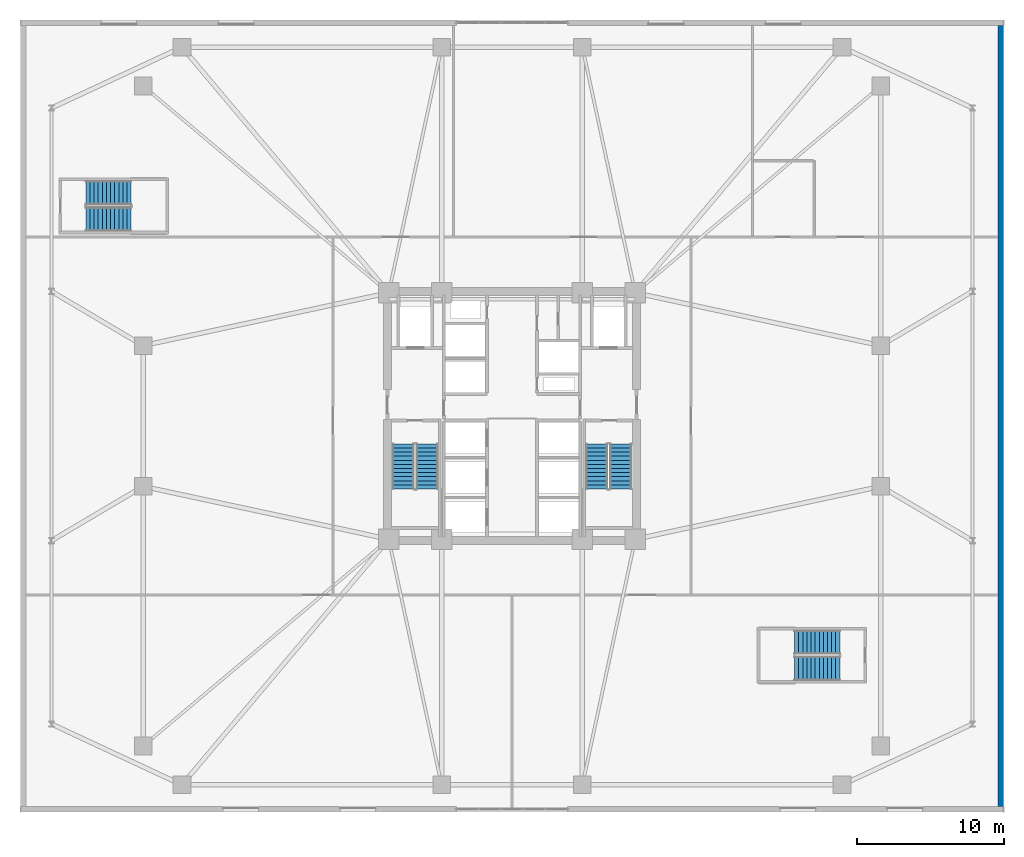
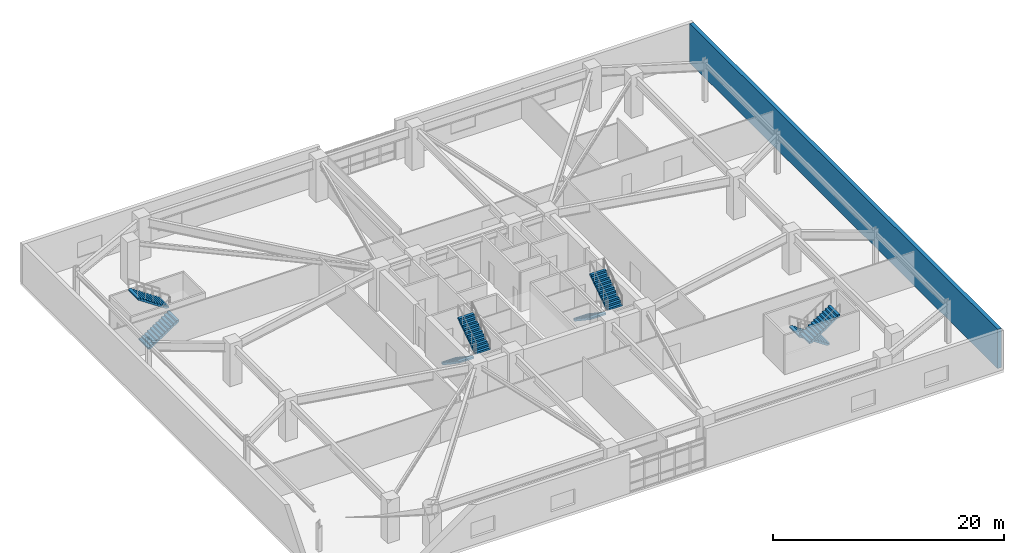
# One storey, part 15 of 21: 8 stair flights, 1 wall, 4 elements without a shape of their own.
"""IFC4 building model written with IfcOpenShell, lengths in metres."""

from ifc_helpers import new_model, si_unit, direction, frame, frame_2d, origin, place, context, subcontext, project, spatial, polyline, rectangle, outline, extrude, material, layer, layer_set, type_object, element, aggregate, save


model = new_model("IFC4")

# Units and contexts
model_context = context("Model", 3, precision=1e-05, world=origin(), true_north=direction((0.0, 1.0)))
body_context = subcontext(model_context, "Body", "Model", "MODEL_VIEW")
ifc_project = project(units=[si_unit("LENGTHUNIT", "METRE"), si_unit("AREAUNIT", "SQUARE_METRE"), si_unit("VOLUMEUNIT", "CUBIC_METRE"), si_unit("PLANEANGLEUNIT", "RADIAN"), si_unit("MASSUNIT", "GRAM", prefix="KILO")], contexts=[model_context])

# Site, building, storey
site_placement = place(None, origin())
site = spatial("IfcSite", under=ifc_project, at=site_placement, CompositionType="ELEMENT")
building_placement = place(site_placement, origin())
building = spatial("IfcBuilding", under=site, at=building_placement, Name="Cairnveth Concourse Tower", CompositionType="ELEMENT")
storey_placement = place(building_placement, frame((0.0, 0.0, 14.5)))
storey = spatial("IfcBuildingStorey", under=building, at=storey_placement, Name="L03", CompositionType="ELEMENT", Elevation=14.5)

# Wall
ifc_material_1 = material(Name="Hawthorn Red-Ochre Fired Clay Brick Masonry", Category="masonry")
ifc_layer = layer(ifc_material_1, 0.3798828125)
ifc_layer_set = layer_set([ifc_layer], Name="Hawthorn Red-Ochre Fired Clay Brick Masonry")
wall_type = type_object("IfcWallType", Name="UPPER PODIUM BRICK WALL 380", PredefinedType="SOLIDWALL", material=ifc_layer_set)
wall_placement = place(storey_placement, frame((85.31005859375, 65.635009765625, 0.0), z_axis=(0.0, 0.0, 1.0), x_axis=(0.0, -1.0, 0.0)))
element("IfcWall", 1, at=wall_placement, inside=storey, type_object=wall_type, Name="Exterior Wall EW-L03-E", PredefinedType="SOLIDWALL", context=body_context, shape_type="SweptSolid", body=[
    extrude(rectangle(XDim=53.27001953125, YDim=0.3798828125, at=frame_2d((26.635009765625, 0.0))), origin(), (0.0, 0.0, 1.0), 4.14990234375),
])

# Stair, stair flights
ifc_material_2 = material(Name="Precast concrete N50 (50 MPa)", Category="concrete")
stair_type_1 = type_object("IfcStairType", Name="CORE DOG-LEG FIRE STAIR 1500", PredefinedType="HALF_TURN_STAIR", material=ifc_material_2)
stair_1_placement = place(storey_placement, origin())
stair_1 = element("IfcStair", 2, at=stair_1_placement, inside=storey, type_object=stair_type_1, Name="L03 Fire-Isolated Stair ST-1", PredefinedType="HALF_TURN_STAIR")
stair_flight_type_1 = type_object("IfcStairFlightType", Name="PRECAST CONCRETE STAIR FLIGHT 1500", PredefinedType="STRAIGHT", material=ifc_material_2)
stair_flight_1_placement = place(storey_placement, frame((44.590087890625, 37.10009765625, 0.0), z_axis=(0.0, 0.0, 1.0), x_axis=(0.0, -1.0, 0.0)))
stair_flight_1 = element("IfcStairFlight", 3, at=stair_flight_1_placement, type_object=stair_flight_type_1, Name="ST-1 flight 1", NumberOfRisers=12, NumberOfTreads=11, PredefinedType="STRAIGHT", RiserHeight=0.1875, TreadLength=0.28, context=body_context, shape_type="SweptSolid", body=[
    extrude(outline(polyline([(0.0, 0.0), (0.0, 0.1875), (0.280029296875, 0.1875), (0.280029296875, 0.375), (0.56005859375, 0.375), (0.56005859375, 0.5625), (0.840087890625, 0.5625), (0.840087890625, 0.75), (1.1201171875, 0.75), (1.1201171875, 0.9375), (1.39990234375, 0.9375), (1.39990234375, 1.125), (1.679931640625, 1.125), (1.679931640625, 1.3125), (1.9599609375, 1.3125), (1.9599609375, 1.5), (2.239990234375, 1.5), (2.239990234375, 1.6875), (2.52001953125, 1.6875), (2.52001953125, 1.875), (2.800048828125, 1.875), (2.800048828125, 2.0625), (3.080078125, 2.0625), (3.080078125, 2.25), (3.080078125, 1.882080078125), (0.26953125, 0.0), (0.0, 0.0)])), frame((0.0, 0.75, 0.0), z_axis=(0.0, -1.0, 0.0), x_axis=(1.0, 0.0, 0.0)), (0.0, 0.0, 1.0), 1.5),
])
stair_flight_2_placement = place(storey_placement, frame((46.22998046875, 34.02001953125, 2.25), z_axis=(0.0, 0.0, 1.0), x_axis=(0.0, 1.0, 0.0)))
stair_flight_2 = element("IfcStairFlight", 4, at=stair_flight_2_placement, type_object=stair_flight_type_1, Name="ST-1 flight 2", NumberOfRisers=12, NumberOfTreads=11, PredefinedType="STRAIGHT", RiserHeight=0.1875, TreadLength=0.28, context=body_context, shape_type="SweptSolid", body=[
    extrude(outline(polyline([(0.0, 0.0), (0.0, 0.1875), (0.280029296875, 0.1875), (0.280029296875, 0.375), (0.56005859375, 0.375), (0.56005859375, 0.5625), (0.840087890625, 0.5625), (0.840087890625, 0.75), (1.1201171875, 0.75), (1.1201171875, 0.9375), (1.39990234375, 0.9375), (1.39990234375, 1.125), (1.679931640625, 1.125), (1.679931640625, 1.3125), (1.9599609375, 1.3125), (1.9599609375, 1.5), (2.239990234375, 1.5), (2.239990234375, 1.6875), (2.52001953125, 1.6875), (2.52001953125, 1.875), (2.800048828125, 1.875), (2.800048828125, 2.0625), (3.080078125, 2.0625), (3.080078125, 2.25), (3.080078125, 1.882080078125), (0.26953125, 0.0), (0.0, 0.0)])), frame((0.0, 0.75, 0.0), z_axis=(0.0, -1.0, 0.0), x_axis=(1.0, 0.0, 0.0)), (0.0, 0.0, 1.0), 1.5),
])
aggregate(stair_1, [stair_flight_1, stair_flight_2])

stair_2_placement = place(storey_placement, origin())
stair_2 = element("IfcStair", 5, at=stair_2_placement, inside=storey, type_object=stair_type_1, Name="L03 Fire-Isolated Stair ST-2", PredefinedType="HALF_TURN_STAIR")
stair_flight_3_placement = place(storey_placement, frame((57.77001953125, 37.10009765625, 0.0), z_axis=(0.0, 0.0, 1.0), x_axis=(0.0, -1.0, 0.0)))
stair_flight_3 = element("IfcStairFlight", 6, at=stair_flight_3_placement, type_object=stair_flight_type_1, Name="ST-2 flight 1", NumberOfRisers=12, NumberOfTreads=11, PredefinedType="STRAIGHT", RiserHeight=0.1875, TreadLength=0.28, context=body_context, shape_type="SweptSolid", body=[
    extrude(outline(polyline([(0.0, 0.0), (0.0, 0.1875), (0.280029296875, 0.1875), (0.280029296875, 0.375), (0.56005859375, 0.375), (0.56005859375, 0.5625), (0.840087890625, 0.5625), (0.840087890625, 0.75), (1.1201171875, 0.75), (1.1201171875, 0.9375), (1.39990234375, 0.9375), (1.39990234375, 1.125), (1.679931640625, 1.125), (1.679931640625, 1.3125), (1.9599609375, 1.3125), (1.9599609375, 1.5), (2.239990234375, 1.5), (2.239990234375, 1.6875), (2.52001953125, 1.6875), (2.52001953125, 1.875), (2.800048828125, 1.875), (2.800048828125, 2.0625), (3.080078125, 2.0625), (3.080078125, 2.25), (3.080078125, 1.882080078125), (0.26953125, 0.0), (0.0, 0.0)])), frame((0.0, 0.75, 0.0), z_axis=(0.0, -1.0, 0.0), x_axis=(1.0, 0.0, 0.0)), (0.0, 0.0, 1.0), 1.5),
])
stair_flight_4_placement = place(storey_placement, frame((59.409912109375, 34.02001953125, 2.25), z_axis=(0.0, 0.0, 1.0), x_axis=(0.0, 1.0, 0.0)))
stair_flight_4 = element("IfcStairFlight", 7, at=stair_flight_4_placement, type_object=stair_flight_type_1, Name="ST-2 flight 2", NumberOfRisers=12, NumberOfTreads=11, PredefinedType="STRAIGHT", RiserHeight=0.1875, TreadLength=0.28, context=body_context, shape_type="SweptSolid", body=[
    extrude(outline(polyline([(0.0, 0.0), (0.0, 0.1875), (0.280029296875, 0.1875), (0.280029296875, 0.375), (0.56005859375, 0.375), (0.56005859375, 0.5625), (0.840087890625, 0.5625), (0.840087890625, 0.75), (1.1201171875, 0.75), (1.1201171875, 0.9375), (1.39990234375, 0.9375), (1.39990234375, 1.125), (1.679931640625, 1.125), (1.679931640625, 1.3125), (1.9599609375, 1.3125), (1.9599609375, 1.5), (2.239990234375, 1.5), (2.239990234375, 1.6875), (2.52001953125, 1.6875), (2.52001953125, 1.875), (2.800048828125, 1.875), (2.800048828125, 2.0625), (3.080078125, 2.0625), (3.080078125, 2.25), (3.080078125, 1.882080078125), (0.26953125, 0.0), (0.0, 0.0)])), frame((0.0, 0.75, 0.0), z_axis=(0.0, -1.0, 0.0), x_axis=(1.0, 0.0, 0.0)), (0.0, 0.0, 1.0), 1.5),
])
aggregate(stair_2, [stair_flight_3, stair_flight_4])

stair_type_2 = type_object("IfcStairType", Name="PODIUM ESCAPE DOG-LEG STAIR 1650", PredefinedType="HALF_TURN_STAIR", material=ifc_material_2)
stair_3_placement = place(storey_placement, origin())
stair_3 = element("IfcStair", 8, at=stair_3_placement, inside=storey, type_object=stair_type_2, Name="L03 Fire-Isolated Stair ST-P1", PredefinedType="HALF_TURN_STAIR")
stair_flight_type_2 = type_object("IfcStairFlightType", Name="PRECAST CONCRETE STAIR FLIGHT 1650", PredefinedType="STRAIGHT", material=ifc_material_2)
stair_flight_5_placement = place(storey_placement, frame((22.949951171875, 52.425048828125, 0.0), z_axis=(0.0, 0.0, 1.0), x_axis=(1.0, 0.0, 0.0)))
stair_flight_5 = element("IfcStairFlight", 9, at=stair_flight_5_placement, type_object=stair_flight_type_2, Name="ST-P1 flight 1", NumberOfRisers=12, NumberOfTreads=11, PredefinedType="STRAIGHT", RiserHeight=0.1875, TreadLength=0.28, context=body_context, shape_type="SweptSolid", body=[
    extrude(outline(polyline([(0.0, 0.0), (0.0, 0.1875), (0.280029296875, 0.1875), (0.280029296875, 0.375), (0.56005859375, 0.375), (0.56005859375, 0.5625), (0.840087890625, 0.5625), (0.840087890625, 0.75), (1.1201171875, 0.75), (1.1201171875, 0.9375), (1.39990234375, 0.9375), (1.39990234375, 1.125), (1.679931640625, 1.125), (1.679931640625, 1.3125), (1.9599609375, 1.3125), (1.9599609375, 1.5), (2.239990234375, 1.5), (2.239990234375, 1.6875), (2.52001953125, 1.6875), (2.52001953125, 1.875), (2.800048828125, 1.875), (2.800048828125, 2.0625), (3.080078125, 2.0625), (3.080078125, 2.25), (3.080078125, 1.882080078125), (0.26953125, 0.0), (0.0, 0.0)])), frame((0.0, 0.824951171875, 0.0), z_axis=(0.0, -1.0, 0.0), x_axis=(1.0, 0.0, 0.0)), (0.0, 0.0, 1.0), 1.64990234375),
])
stair_flight_6_placement = place(storey_placement, frame((26.030029296875, 54.215087890625, 2.25), z_axis=(0.0, 0.0, 1.0), x_axis=(-1.0, 0.0, 0.0)))
stair_flight_6 = element("IfcStairFlight", 10, at=stair_flight_6_placement, type_object=stair_flight_type_2, Name="ST-P1 flight 2", NumberOfRisers=12, NumberOfTreads=11, PredefinedType="STRAIGHT", RiserHeight=0.1875, TreadLength=0.28, context=body_context, shape_type="SweptSolid", body=[
    extrude(outline(polyline([(0.0, 0.0), (0.0, 0.1875), (0.280029296875, 0.1875), (0.280029296875, 0.375), (0.56005859375, 0.375), (0.56005859375, 0.5625), (0.840087890625, 0.5625), (0.840087890625, 0.75), (1.1201171875, 0.75), (1.1201171875, 0.9375), (1.39990234375, 0.9375), (1.39990234375, 1.125), (1.679931640625, 1.125), (1.679931640625, 1.3125), (1.9599609375, 1.3125), (1.9599609375, 1.5), (2.239990234375, 1.5), (2.239990234375, 1.6875), (2.52001953125, 1.6875), (2.52001953125, 1.875), (2.800048828125, 1.875), (2.800048828125, 2.0625), (3.080078125, 2.0625), (3.080078125, 2.25), (3.080078125, 1.882080078125), (0.26953125, 0.0), (0.0, 0.0)])), frame((0.0, 0.824951171875, 0.0), z_axis=(0.0, -1.0, 0.0), x_axis=(1.0, 0.0, 0.0)), (0.0, 0.0, 1.0), 1.64990234375),
])
aggregate(stair_3, [stair_flight_5, stair_flight_6])

stair_4_placement = place(storey_placement, origin())
stair_4 = element("IfcStair", 11, at=stair_4_placement, inside=storey, type_object=stair_type_2, Name="L03 Fire-Isolated Stair ST-P2", PredefinedType="HALF_TURN_STAIR")
stair_flight_7_placement = place(storey_placement, frame((74.35009765625, 23.574951171875, 0.0), z_axis=(0.0, 0.0, 1.0), x_axis=(-1.0, 0.0, 0.0)))
stair_flight_7 = element("IfcStairFlight", 12, at=stair_flight_7_placement, type_object=stair_flight_type_2, Name="ST-P2 flight 1", NumberOfRisers=12, NumberOfTreads=11, PredefinedType="STRAIGHT", RiserHeight=0.1875, TreadLength=0.28, context=body_context, shape_type="SweptSolid", body=[
    extrude(outline(polyline([(0.0, 0.0), (0.0, 0.1875), (0.280029296875, 0.1875), (0.280029296875, 0.375), (0.56005859375, 0.375), (0.56005859375, 0.5625), (0.840087890625, 0.5625), (0.840087890625, 0.75), (1.1201171875, 0.75), (1.1201171875, 0.9375), (1.39990234375, 0.9375), (1.39990234375, 1.125), (1.679931640625, 1.125), (1.679931640625, 1.3125), (1.9599609375, 1.3125), (1.9599609375, 1.5), (2.239990234375, 1.5), (2.239990234375, 1.6875), (2.52001953125, 1.6875), (2.52001953125, 1.875), (2.800048828125, 1.875), (2.800048828125, 2.0625), (3.080078125, 2.0625), (3.080078125, 2.25), (3.080078125, 1.882080078125), (0.26953125, 0.0), (0.0, 0.0)])), frame((0.0, 0.824951171875, 0.0), z_axis=(0.0, -1.0, 0.0), x_axis=(1.0, 0.0, 0.0)), (0.0, 0.0, 1.0), 1.64990234375),
])
stair_flight_8_placement = place(storey_placement, frame((71.27001953125, 21.784912109375, 2.25), z_axis=(0.0, 0.0, 1.0), x_axis=(1.0, 0.0, 0.0)))
stair_flight_8 = element("IfcStairFlight", 13, at=stair_flight_8_placement, type_object=stair_flight_type_2, Name="ST-P2 flight 2", NumberOfRisers=12, NumberOfTreads=11, PredefinedType="STRAIGHT", RiserHeight=0.1875, TreadLength=0.28, context=body_context, shape_type="SweptSolid", body=[
    extrude(outline(polyline([(0.0, 0.0), (0.0, 0.1875), (0.280029296875, 0.1875), (0.280029296875, 0.375), (0.56005859375, 0.375), (0.56005859375, 0.5625), (0.840087890625, 0.5625), (0.840087890625, 0.75), (1.1201171875, 0.75), (1.1201171875, 0.9375), (1.39990234375, 0.9375), (1.39990234375, 1.125), (1.679931640625, 1.125), (1.679931640625, 1.3125), (1.9599609375, 1.3125), (1.9599609375, 1.5), (2.239990234375, 1.5), (2.239990234375, 1.6875), (2.52001953125, 1.6875), (2.52001953125, 1.875), (2.800048828125, 1.875), (2.800048828125, 2.0625), (3.080078125, 2.0625), (3.080078125, 2.25), (3.080078125, 1.882080078125), (0.26953125, 0.0), (0.0, 0.0)])), frame((0.0, 0.824951171875, 0.0), z_axis=(0.0, -1.0, 0.0), x_axis=(1.0, 0.0, 0.0)), (0.0, 0.0, 1.0), 1.64990234375),
])
aggregate(stair_4, [stair_flight_7, stair_flight_8])

save(model, "model.ifc")
